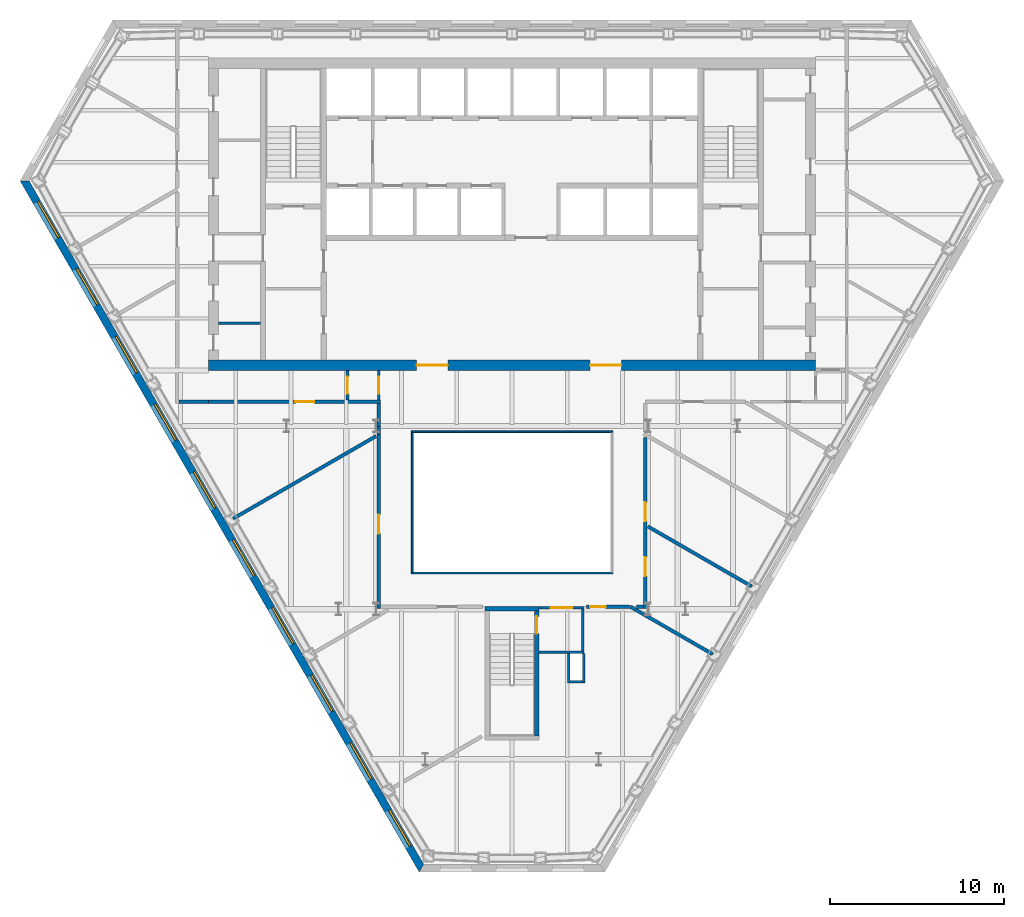
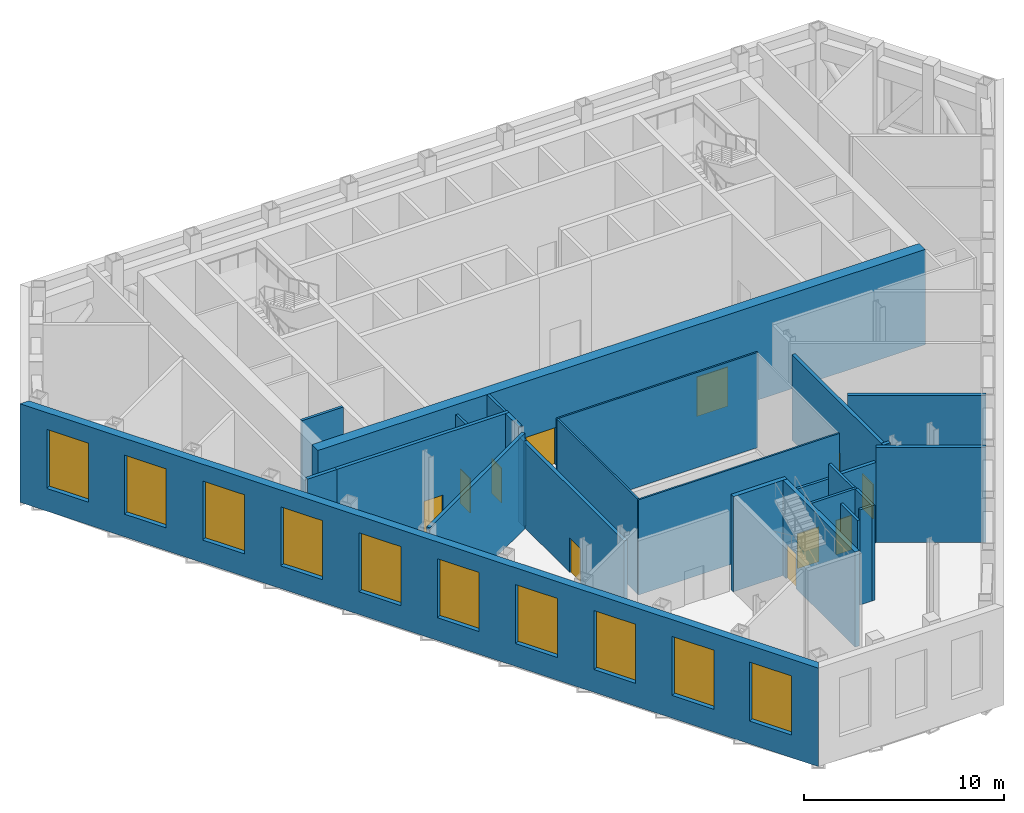
# One storey, part 7 of 14: 27 walls, 11 doors, 10 shading devices, 21 openings.
"""IFC4 building model written with IfcOpenShell, lengths in metres."""

from ifc_helpers import new_model, si_unit, direction, frame, frame_2d, origin, place, context, subcontext, project, spatial, polyline, rectangle, outline, extrude, material, layer, layer_set, type_object, element, fill, save


model = new_model("IFC4")

# Units and contexts
model_context = context("Model", 3, precision=1e-05, world=origin(), true_north=direction((0.0, 1.0)))
body_context = subcontext(model_context, "Body", "Model", "MODEL_VIEW")
ifc_project = project(units=[si_unit("LENGTHUNIT", "METRE"), si_unit("AREAUNIT", "SQUARE_METRE"), si_unit("VOLUMEUNIT", "CUBIC_METRE"), si_unit("PLANEANGLEUNIT", "RADIAN"), si_unit("MASSUNIT", "GRAM", prefix="KILO")], contexts=[model_context])

# Site, building, storey
site_placement = place(None, origin())
site = spatial("IfcSite", under=ifc_project, at=site_placement, CompositionType="ELEMENT")
building_placement = place(site_placement, origin())
building = spatial("IfcBuilding", under=site, at=building_placement, Name="Njiva Tower", CompositionType="ELEMENT")
storey_placement = place(building_placement, frame((0.0, 0.0, 78.3)))
storey = spatial("IfcBuildingStorey", under=building, at=storey_placement, Name="L16", CompositionType="ELEMENT", Elevation=78.3)

# Wall
ifc_material_1 = material(Name="Blockwork", Category="masonry")
ifc_layer_1 = layer(ifc_material_1, 0.15)
ifc_layer_set_1 = layer_set([ifc_layer_1], Name="Blockwork")
wall_type_1 = type_object("IfcWallType", Name="WT1 Compartment partition 150", PredefinedType="PARTITIONING", material=ifc_layer_set_1)
wall_1_placement = place(storey_placement, frame((-16.9, 2.7176, 0.0), z_axis=(0.0, 0.0, 1.0), x_axis=(1.0, 0.0, 0.0)))
element("IfcWall", 1, at=wall_1_placement, inside=storey, type_object=wall_type_1, Name="Partition strip W00", PredefinedType="PARTITIONING", context=body_context, shape_type="SweptSolid", body=[
    extrude(rectangle(XDim=2.4, YDim=0.15, at=frame_2d((1.2, 0.0))), origin(), (0.0, 0.0, 1.0), 5.8),
])

# Wall, openings, doors
ifc_material_2 = material(Name="Concrete C60/75", Category="concrete")
ifc_layer_2 = layer(ifc_material_2, 0.6)
ifc_layer_set_2 = layer_set([ifc_layer_2], Name="Concrete C60/75")
wall_type_2 = type_object("IfcWallType", Name="WT15 Core wall 600", PredefinedType="SHEAR", material=ifc_layer_set_2)
wall_2_placement = place(storey_placement, frame((-17.5, 0.3, 0.0), z_axis=(0.0, 0.0, 1.0), x_axis=(1.0, 0.0, 0.0)))
wall_2 = element("IfcWall", 2, at=wall_2_placement, inside=storey, type_object=wall_type_2, Name="Core wall south", PredefinedType="SHEAR", context=body_context, shape_type="SweptSolid", body=[
    extrude(rectangle(XDim=35.0, YDim=0.6, at=frame_2d((17.5, 0.0))), origin(), (0.0, 0.0, 1.0), 5.8),
])
opening_1_placement = place(wall_2_placement, frame((12.0, 0.0, 0.0)))
opening_1 = element("IfcOpeningElement", 3, at=opening_1_placement, cuts=wall_2, Name="Opening T1-D933", PredefinedType="OPENING", context=body_context, shape_type="SweptSolid", body=[
    extrude(rectangle(XDim=1.8, YDim=2.4, at=frame_2d((0.9, 1.2))), frame((0.0, 0.31, 0.0), z_axis=(0.0, -1.0, 0.0), x_axis=(1.0, 0.0, 0.0)), (0.0, 0.0, 1.0), 0.62),
])
opening_2_placement = place(wall_2_placement, frame((22.0, 0.0, 0.0)))
opening_2 = element("IfcOpeningElement", 4, at=opening_2_placement, cuts=wall_2, Name="Opening T1-D934", PredefinedType="OPENING", context=body_context, shape_type="SweptSolid", body=[
    extrude(rectangle(XDim=1.8, YDim=2.4, at=frame_2d((0.9, 1.2))), frame((0.0, 0.31, 0.0), z_axis=(0.0, -1.0, 0.0), x_axis=(1.0, 0.0, 0.0)), (0.0, 0.0, 1.0), 0.62),
])
ifc_material_3 = material(Name="Steel and glass door", Category="steel")
door_type_1 = type_object("IfcDoorType", Name="D3 Core entrance door 1800x2400", OperationType="DOUBLE_DOOR_SINGLE_SWING", PredefinedType="DOOR", material=ifc_material_3)
door_1_placement = place(opening_1_placement, origin())
door_1 = element("IfcDoor", 5, at=door_1_placement, inside=storey, type_object=door_type_1, Name="Core entrance door", OperationType="DOUBLE_DOOR_SINGLE_SWING", OverallHeight=2.4, OverallWidth=1.8, PredefinedType="DOOR", context=body_context, shape_type="SweptSolid", body=[
    extrude(rectangle(XDim=1.8, YDim=2.4, at=frame_2d((0.9, 1.2))), frame((0.0, 0.025, 0.0), z_axis=(0.0, -1.0, 0.0), x_axis=(1.0, 0.0, 0.0)), (0.0, 0.0, 1.0), 0.05),
])
fill(opening_1, door_1)
door_2_placement = place(opening_2_placement, origin())
door_2 = element("IfcDoor", 6, at=door_2_placement, inside=storey, type_object=door_type_1, Name="Core entrance door", OperationType="DOUBLE_DOOR_SINGLE_SWING", OverallHeight=2.4, OverallWidth=1.8, PredefinedType="DOOR", context=body_context, shape_type="SweptSolid", body=[
    extrude(rectangle(XDim=1.8, YDim=2.4, at=frame_2d((0.9, 1.2))), frame((0.0, 0.025, 0.0), z_axis=(0.0, -1.0, 0.0), x_axis=(1.0, 0.0, 0.0)), (0.0, 0.0, 1.0), 0.05),
])
fill(opening_2, door_2)

# Wall, opening, door
ifc_material_4 = material(Name="Gypsum board on steel studs", Category="gypsum")
ifc_layer_3 = layer(ifc_material_4, 0.15)
ifc_layer_set_3 = layer_set([ifc_layer_3], Name="Gypsum board on steel studs")
wall_type_3 = type_object("IfcWallType", Name="WT21 Compartment wall 150", PredefinedType="PARTITIONING", material=ifc_layer_set_3)
wall_3_placement = place(storey_placement, frame((-9.48, -1.699, 0.0), z_axis=(0.0, 0.0, 1.0), x_axis=(0.0, 1.0, 0.0)))
wall_3 = element("IfcWall", 7, at=wall_3_placement, inside=storey, type_object=wall_type_3, Name="Partition T1-P011", PredefinedType="PARTITIONING", context=body_context, shape_type="SweptSolid", body=[
    extrude(rectangle(XDim=1.698, YDim=0.15, at=frame_2d((0.849, 0.0))), origin(), (0.0, 0.0, 1.0), 5.2),
])
opening_3_placement = place(wall_3_placement, frame((0.349, 0.0, 0.0)))
opening_3 = element("IfcOpeningElement", 8, at=opening_3_placement, cuts=wall_3, Name="Opening T1-D005", PredefinedType="OPENING", context=body_context, shape_type="SweptSolid", body=[
    extrude(rectangle(XDim=1.0, YDim=2.1, at=frame_2d((0.5, 1.05))), frame((0.0, 0.085, 0.0), z_axis=(0.0, -1.0, 0.0), x_axis=(1.0, 0.0, 0.0)), (0.0, 0.0, 1.0), 0.17),
])
ifc_material_5 = material(Name="Steel fire door set", Category="steel")
door_type_2 = type_object("IfcDoorType", Name="D37 Fire door 1000x2100", OperationType="SINGLE_SWING_LEFT", PredefinedType="DOOR", material=ifc_material_5)
door_3_placement = place(opening_3_placement, origin())
door_3 = element("IfcDoor", 9, at=door_3_placement, inside=storey, type_object=door_type_2, Name="Door T1-D005", OperationType="SINGLE_SWING_RIGHT", OverallHeight=2.1, OverallWidth=1.0, PredefinedType="DOOR", context=body_context, shape_type="SweptSolid", body=[
    extrude(rectangle(XDim=1.0, YDim=2.1, at=frame_2d((0.5, 1.05))), frame((0.0, 0.025, 0.0), z_axis=(0.0, -1.0, 0.0), x_axis=(1.0, 0.0, 0.0)), (0.0, 0.0, 1.0), 0.05),
])
fill(opening_3, door_3)

wall_4_placement = place(storey_placement, frame((-7.68, -1.699, 0.0), z_axis=(0.0, 0.0, 1.0), x_axis=(0.0, 1.0, 0.0)))
wall_4 = element("IfcWall", 10, at=wall_4_placement, inside=storey, type_object=wall_type_3, Name="Partition T1-P015", PredefinedType="PARTITIONING", context=body_context, shape_type="SweptSolid", body=[
    extrude(rectangle(XDim=1.698, YDim=0.15, at=frame_2d((0.849, 0.0))), origin(), (0.0, 0.0, 1.0), 5.8),
])
opening_4_placement = place(wall_4_placement, frame((0.349, 0.0, 0.0)))
opening_4 = element("IfcOpeningElement", 11, at=opening_4_placement, cuts=wall_4, Name="Opening T1-D007", PredefinedType="OPENING", context=body_context, shape_type="SweptSolid", body=[
    extrude(rectangle(XDim=1.0, YDim=2.1, at=frame_2d((0.5, 1.05))), frame((0.0, 0.085, 0.0), z_axis=(0.0, -1.0, 0.0), x_axis=(1.0, 0.0, 0.0)), (0.0, 0.0, 1.0), 0.17),
])
door_4_placement = place(opening_4_placement, origin())
door_4 = element("IfcDoor", 12, at=door_4_placement, inside=storey, type_object=door_type_2, Name="Door T1-D007", OperationType="SINGLE_SWING_RIGHT", OverallHeight=2.1, OverallWidth=1.0, PredefinedType="DOOR", context=body_context, shape_type="SweptSolid", body=[
    extrude(rectangle(XDim=1.0, YDim=2.1, at=frame_2d((0.5, 1.05))), frame((0.0, 0.025, 0.0), z_axis=(0.0, -1.0, 0.0), x_axis=(1.0, 0.0, 0.0)), (0.0, 0.0, 1.0), 0.05),
])
fill(opening_4, door_4)

# Wall
ifc_layer_4 = layer(ifc_material_1, 0.2)
ifc_layer_set_4 = layer_set([ifc_layer_4], Name="Blockwork")
wall_type_4 = type_object("IfcWallType", Name="WT22 Plant room wall 200", PredefinedType="PARTITIONING", material=ifc_layer_set_4)
wall_5_placement = place(storey_placement, frame((-19.2, -1.8, 0.0), z_axis=(0.0, 0.0, 1.0), x_axis=(1.0, 0.0, 0.0)))
element("IfcWall", 13, at=wall_5_placement, inside=storey, type_object=wall_type_4, Name="Partition T1-P007", PredefinedType="PARTITIONING", context=body_context, shape_type="SweptSolid", body=[
    extrude(rectangle(XDim=1.699, YDim=0.2, at=frame_2d((0.8495, 0.0))), origin(), (0.0, 0.0, 1.0), 5.8),
])

# Wall, opening, door
wall_6_placement = place(storey_placement, frame((-17.499, -1.8, 0.0), z_axis=(0.0, 0.0, 1.0), x_axis=(0.999999994918, 0.000100816614, 0.0)))
wall_6 = element("IfcWall", 14, at=wall_6_placement, inside=storey, type_object=wall_type_4, Name="Partition T1-P008", PredefinedType="PARTITIONING", context=body_context, shape_type="SweptSolid", body=[
    extrude(rectangle(XDim=9.919, YDim=0.2, at=frame_2d((4.9595, 0.0))), origin(), (0.0, 0.0, 1.0), 5.8),
])
opening_5_placement = place(wall_6_placement, frame((5.01, 0.0, 0.0)))
opening_5 = element("IfcOpeningElement", 15, at=opening_5_placement, cuts=wall_6, Name="Opening T1-D004", PredefinedType="OPENING", context=body_context, shape_type="SweptSolid", body=[
    extrude(rectangle(XDim=1.1, YDim=2.1, at=frame_2d((0.55, 1.05))), frame((0.0, 0.11, 0.0), z_axis=(0.0, -1.0, 0.0), x_axis=(1.0, 0.0, 0.0)), (0.0, 0.0, 1.0), 0.22),
])
ifc_material_6 = material(Name="Steel door set", Category="steel")
door_type_3 = type_object("IfcDoorType", Name="D34 Plant door 1100x2100", OperationType="SINGLE_SWING_LEFT", PredefinedType="DOOR", material=ifc_material_6)
door_5_placement = place(opening_5_placement, origin())
door_5 = element("IfcDoor", 16, at=door_5_placement, inside=storey, type_object=door_type_3, Name="Door T1-D004", OperationType="SINGLE_SWING_RIGHT", OverallHeight=2.1, OverallWidth=1.1, PredefinedType="DOOR", context=body_context, shape_type="SweptSolid", body=[
    extrude(rectangle(XDim=1.1, YDim=2.1, at=frame_2d((0.55, 1.05))), frame((0.0, 0.025, 0.0), z_axis=(0.0, -1.0, 0.0), x_axis=(1.0, 0.0, 0.0)), (0.0, 0.0, 1.0), 0.05),
])
fill(opening_5, door_5)

# Walls
wall_7_placement = place(storey_placement, frame((-16.071, -8.534, 0.0), z_axis=(0.0, 0.0, 1.0), x_axis=(0.866068339032, 0.499925626596, 0.0)))
element("IfcWall", 17, at=wall_7_placement, inside=storey, type_object=wall_type_4, Name="Partition T1-P009", PredefinedType="PARTITIONING", context=body_context, shape_type="SweptSolid", body=[
    extrude(rectangle(XDim=9.5154, YDim=0.2, at=frame_2d((4.7577, 0.0))), origin(), (0.0, 0.0, 1.0), 5.8),
])
wall_8_placement = place(storey_placement, frame((-7.681, -1.899, 0.0), z_axis=(0.0, 0.0, 1.0), x_axis=(0.000761614402, -0.999999709972, 0.0)))
element("IfcWall", 18, at=wall_8_placement, inside=storey, type_object=wall_type_4, Name="Partition T1-P012", PredefinedType="PARTITIONING", context=body_context, shape_type="SweptSolid", body=[
    extrude(rectangle(XDim=1.313, YDim=0.2, at=frame_2d((0.6565, 0.0))), origin(), (0.0, 0.0, 1.0), 5.8),
])

# Wall, opening, door
wall_9_placement = place(storey_placement, frame((-7.68, -13.7, 0.0), z_axis=(0.0, 0.0, 1.0), x_axis=(0.0, 1.0, 0.0)))
wall_9 = element("IfcWall", 19, at=wall_9_placement, inside=storey, type_object=wall_type_4, Name="Partition T1-P013", PredefinedType="PARTITIONING", context=body_context, shape_type="SweptSolid", body=[
    extrude(rectangle(XDim=10.008, YDim=0.2, at=frame_2d((5.004, 0.0))), origin(), (0.0, 0.0, 1.0), 5.2),
])
opening_6_placement = place(wall_9_placement, frame((4.304, 0.0, 0.0)))
opening_6 = element("IfcOpeningElement", 20, at=opening_6_placement, cuts=wall_9, Name="Opening T1-D006", PredefinedType="OPENING", context=body_context, shape_type="SweptSolid", body=[
    extrude(rectangle(XDim=1.1, YDim=2.1, at=frame_2d((0.55, 1.05))), frame((0.0, 0.11, 0.0), z_axis=(0.0, -1.0, 0.0), x_axis=(1.0, 0.0, 0.0)), (0.0, 0.0, 1.0), 0.22),
])
door_6_placement = place(opening_6_placement, origin())
door_6 = element("IfcDoor", 21, at=door_6_placement, inside=storey, type_object=door_type_3, Name="Door T1-D006", OperationType="SINGLE_SWING_RIGHT", OverallHeight=2.1, OverallWidth=1.1, PredefinedType="DOOR", context=body_context, shape_type="SweptSolid", body=[
    extrude(rectangle(XDim=1.1, YDim=2.1, at=frame_2d((0.55, 1.05))), frame((0.0, 0.025, 0.0), z_axis=(0.0, -1.0, 0.0), x_axis=(1.0, 0.0, 0.0)), (0.0, 0.0, 1.0), 0.05),
])
fill(opening_6, door_6)

# Wall
wall_10_placement = place(storey_placement, frame((-7.68, -3.69, 0.0), z_axis=(0.0, 0.0, 1.0), x_axis=(0.0, 1.0, 0.0)))
element("IfcWall", 22, at=wall_10_placement, inside=storey, type_object=wall_type_4, Name="Partition T1-P014", PredefinedType="PARTITIONING", context=body_context, shape_type="SweptSolid", body=[
    extrude(rectangle(XDim=0.478, YDim=0.2, at=frame_2d((0.239, 0.0))), origin(), (0.0, 0.0, 1.0), 5.2),
])

# Wall, opening, door
wall_11_placement = place(storey_placement, frame((4.3, -13.6, 0.0), z_axis=(0.0, 0.0, 1.0), x_axis=(1.0, 0.0, 0.0)))
wall_11 = element("IfcWall", 23, at=wall_11_placement, inside=storey, type_object=wall_type_4, Name="Partition T1-P018", PredefinedType="PARTITIONING", context=body_context, shape_type="SweptSolid", body=[
    extrude(rectangle(XDim=2.463, YDim=0.2, at=frame_2d((1.2315, 0.0))), origin(), (0.0, 0.0, 1.0), 4.89),
])
opening_7_placement = place(wall_11_placement, frame((0.2, 0.0, 0.0)))
opening_7 = element("IfcOpeningElement", 24, at=opening_7_placement, cuts=wall_11, Name="Opening T1-D009", PredefinedType="OPENING", context=body_context, shape_type="SweptSolid", body=[
    extrude(rectangle(XDim=0.9, YDim=2.1, at=frame_2d((0.45, 1.05))), frame((0.0, 0.11, 0.0), z_axis=(0.0, -1.0, 0.0), x_axis=(1.0, 0.0, 0.0)), (0.0, 0.0, 1.0), 0.22),
])
door_type_4 = type_object("IfcDoorType", Name="D36 Fire door 900x2100", OperationType="SINGLE_SWING_LEFT", PredefinedType="DOOR", material=ifc_material_5)
door_7_placement = place(opening_7_placement, origin())
door_7 = element("IfcDoor", 25, at=door_7_placement, inside=storey, type_object=door_type_4, Name="Door T1-D009", OperationType="SINGLE_SWING_LEFT", OverallHeight=2.1, OverallWidth=0.9, PredefinedType="DOOR", context=body_context, shape_type="SweptSolid", body=[
    extrude(rectangle(XDim=0.9, YDim=2.1, at=frame_2d((0.45, 1.05))), frame((0.0, 0.025, 0.0), z_axis=(0.0, -1.0, 0.0), x_axis=(1.0, 0.0, 0.0)), (0.0, 0.0, 1.0), 0.05),
])
fill(opening_7, door_7)

# Walls
wall_12_placement = place(storey_placement, frame((6.813, -13.6, 0.0), z_axis=(0.0, 0.0, 1.0), x_axis=(0.866058069904, -0.499943416353, 0.0)))
element("IfcWall", 26, at=wall_12_placement, inside=storey, type_object=wall_type_4, Name="Partition T1-P019", PredefinedType="PARTITIONING", context=body_context, shape_type="SweptSolid", body=[
    extrude(rectangle(XDim=5.4846, YDim=0.2, at=frame_2d((2.7423, 0.0))), origin(), (0.0, 0.0, 1.0), 5.8),
])
wall_13_placement = place(storey_placement, frame((7.186, -13.6, 0.0), z_axis=(0.0, 0.0, 1.0), x_axis=(1.0, 0.0, 0.0)))
element("IfcWall", 27, at=wall_13_placement, inside=storey, type_object=wall_type_4, Name="Partition T1-P020", PredefinedType="PARTITIONING", context=body_context, shape_type="SweptSolid", body=[
    extrude(rectangle(XDim=0.394, YDim=0.2, at=frame_2d((0.197, 0.0))), origin(), (0.0, 0.0, 1.0), 5.8),
])

# Wall, openings, doors
wall_14_placement = place(storey_placement, frame((7.68, -13.7, 0.0), z_axis=(0.0, 0.0, 1.0), x_axis=(0.0, 1.0, 0.0)))
wall_14 = element("IfcWall", 28, at=wall_14_placement, inside=storey, type_object=wall_type_4, Name="Partition T1-P022", PredefinedType="PARTITIONING", context=body_context, shape_type="SweptSolid", body=[
    extrude(rectangle(XDim=9.836, YDim=0.2, at=frame_2d((4.918, 0.0))), origin(), (0.0, 0.0, 1.0), 5.2),
])
opening_8_placement = place(wall_14_placement, frame((1.852, 0.0, 0.0)))
opening_8 = element("IfcOpeningElement", 29, at=opening_8_placement, cuts=wall_14, Name="Opening T1-D010", PredefinedType="OPENING", context=body_context, shape_type="SweptSolid", body=[
    extrude(rectangle(XDim=1.1, YDim=2.1, at=frame_2d((0.55, 1.05))), frame((0.0, 0.11, 0.0), z_axis=(0.0, -1.0, 0.0), x_axis=(1.0, 0.0, 0.0)), (0.0, 0.0, 1.0), 0.22),
])
opening_9_placement = place(wall_14_placement, frame((5.004, 0.0, 0.0)))
opening_9 = element("IfcOpeningElement", 30, at=opening_9_placement, cuts=wall_14, Name="Opening T1-D011", PredefinedType="OPENING", context=body_context, shape_type="SweptSolid", body=[
    extrude(rectangle(XDim=1.1, YDim=2.1, at=frame_2d((0.55, 1.05))), frame((0.0, 0.11, 0.0), z_axis=(0.0, -1.0, 0.0), x_axis=(1.0, 0.0, 0.0)), (0.0, 0.0, 1.0), 0.22),
])
door_8_placement = place(opening_8_placement, origin())
door_8 = element("IfcDoor", 31, at=door_8_placement, inside=storey, type_object=door_type_3, Name="Door T1-D010", OperationType="SINGLE_SWING_LEFT", OverallHeight=2.1, OverallWidth=1.1, PredefinedType="DOOR", context=body_context, shape_type="SweptSolid", body=[
    extrude(rectangle(XDim=1.1, YDim=2.1, at=frame_2d((0.55, 1.05))), frame((0.0, 0.025, 0.0), z_axis=(0.0, -1.0, 0.0), x_axis=(1.0, 0.0, 0.0)), (0.0, 0.0, 1.0), 0.05),
])
fill(opening_8, door_8)
door_type_5 = type_object("IfcDoorType", Name="D39 Emergency power room door 1100x2100", OperationType="SINGLE_SWING_LEFT", PredefinedType="DOOR", material=ifc_material_6)
door_9_placement = place(opening_9_placement, origin())
door_9 = element("IfcDoor", 32, at=door_9_placement, inside=storey, type_object=door_type_5, Name="Door T1-D011", OperationType="SINGLE_SWING_RIGHT", OverallHeight=2.1, OverallWidth=1.1, PredefinedType="DOOR", context=body_context, shape_type="SweptSolid", body=[
    extrude(rectangle(XDim=1.1, YDim=2.1, at=frame_2d((0.55, 1.05))), frame((0.0, 0.025, 0.0), z_axis=(0.0, -1.0, 0.0), x_axis=(1.0, 0.0, 0.0)), (0.0, 0.0, 1.0), 0.05),
])
fill(opening_9, door_9)

# Walls
wall_15_placement = place(storey_placement, frame((7.83, -8.983, 0.0), z_axis=(0.0, 0.0, 1.0), x_axis=(0.866062737724, -0.499935330144, 0.0)))
element("IfcWall", 33, at=wall_15_placement, inside=storey, type_object=wall_type_4, Name="Partition T1-P025", PredefinedType="PARTITIONING", context=body_context, shape_type="SweptSolid", body=[
    extrude(rectangle(XDim=6.9129, YDim=0.2, at=frame_2d((3.4564, 0.0))), origin(), (0.0, 0.0, 1.0), 5.8),
])
ifc_layer_5 = layer(ifc_material_1, 0.15)
ifc_layer_set_5 = layer_set([ifc_layer_5], Name="Blockwork")
wall_type_5 = type_object("IfcWallType", Name="WT4 Stair partition 150", PredefinedType="PARTITIONING", material=ifc_layer_set_5)
wall_16_placement = place(storey_placement, frame((1.55, -16.225, 0.0), z_axis=(0.0, 0.0, 1.0), x_axis=(1.0, 0.0, 0.0)))
element("IfcWall", 34, at=wall_16_placement, inside=storey, type_object=wall_type_5, Name="Stair C vestibule wall south", PredefinedType="PARTITIONING", context=body_context, shape_type="SweptSolid", body=[
    extrude(rectangle(XDim=2.6, YDim=0.15, at=frame_2d((1.3, 0.0))), origin(), (0.0, 0.0, 1.0), 5.8),
])
wall_17_placement = place(storey_placement, frame((4.075, -16.15, 0.0), z_axis=(0.0, 0.0, 1.0), x_axis=(0.0, 1.0, 0.0)))
element("IfcWall", 35, at=wall_17_placement, inside=storey, type_object=wall_type_5, Name="Stair C vestibule wall east", PredefinedType="PARTITIONING", context=body_context, shape_type="SweptSolid", body=[
    extrude(rectangle(XDim=2.4, YDim=0.15, at=frame_2d((1.2, 0.0))), origin(), (0.0, 0.0, 1.0), 5.8),
])

# Wall, opening, door
wall_18_placement = place(storey_placement, frame((1.55, -13.675, 0.0), z_axis=(0.0, 0.0, 1.0), x_axis=(1.0, 0.0, 0.0)))
wall_18 = element("IfcWall", 36, at=wall_18_placement, inside=storey, type_object=wall_type_5, Name="Stair C vestibule wall north", PredefinedType="PARTITIONING", context=body_context, shape_type="SweptSolid", body=[
    extrude(rectangle(XDim=2.6, YDim=0.15, at=frame_2d((1.3, 0.0))), origin(), (0.0, 0.0, 1.0), 4.89),
])
opening_10_placement = place(wall_18_placement, frame((0.675, 0.0, 0.0)))
opening_10 = element("IfcOpeningElement", 37, at=opening_10_placement, cuts=wall_18, Name="Opening T1-D936", PredefinedType="OPENING", context=body_context, shape_type="SweptSolid", body=[
    extrude(rectangle(XDim=1.25, YDim=2.1, at=frame_2d((0.625, 1.05))), frame((0.0, 0.085, 0.0), z_axis=(0.0, -1.0, 0.0), x_axis=(1.0, 0.0, 0.0)), (0.0, 0.0, 1.0), 0.17),
])
ifc_material_7 = material(Name="Glazed steel fire door", Category="steel")
door_type_6 = type_object("IfcDoorType", Name="D8 Vestibule corridor door 1250x2100 glazed", OperationType="SINGLE_SWING_LEFT", PredefinedType="DOOR", material=ifc_material_7)
door_10_placement = place(opening_10_placement, origin())
door_10 = element("IfcDoor", 38, at=door_10_placement, inside=storey, type_object=door_type_6, Name="Stair vestibule corridor door", OperationType="SINGLE_SWING_RIGHT", OverallHeight=2.1, OverallWidth=1.25, PredefinedType="DOOR", context=body_context, shape_type="SweptSolid", body=[
    extrude(rectangle(XDim=1.25, YDim=2.1, at=frame_2d((0.625, 1.05))), frame((0.0, 0.025, 0.0), z_axis=(0.0, -1.0, 0.0), x_axis=(1.0, 0.0, 0.0)), (0.0, 0.0, 1.0), 0.05),
])
fill(opening_10, door_10)

# Walls
wall_19_placement = place(storey_placement, frame((3.275, -18.0, 0.0), z_axis=(0.0, 0.0, 1.0), x_axis=(0.0, 1.0, 0.0)))
element("IfcWall", 39, at=wall_19_placement, inside=storey, type_object=wall_type_5, Name="Stair C pressurisation shaft wall", PredefinedType="PARTITIONING", context=body_context, shape_type="SweptSolid", body=[
    extrude(rectangle(XDim=1.7, YDim=0.15, at=frame_2d((0.85, 0.0))), origin(), (0.0, 0.0, 1.0), 5.2),
])
wall_20_placement = place(storey_placement, frame((3.35, -17.925, 0.0), z_axis=(0.0, 0.0, 1.0), x_axis=(1.0, 0.0, 0.0)))
element("IfcWall", 40, at=wall_20_placement, inside=storey, type_object=wall_type_5, Name="Stair C pressurisation shaft wall", PredefinedType="PARTITIONING", context=body_context, shape_type="SweptSolid", body=[
    extrude(rectangle(XDim=0.7, YDim=0.15, at=frame_2d((0.35, 0.0))), origin(), (0.0, 0.0, 1.0), 5.8),
])
wall_21_placement = place(storey_placement, frame((4.125, -18.0, 0.0), z_axis=(0.0, 0.0, 1.0), x_axis=(0.0, 1.0, 0.0)))
element("IfcWall", 41, at=wall_21_placement, inside=storey, type_object=wall_type_5, Name="Stair C pressurisation shaft wall", PredefinedType="PARTITIONING", context=body_context, shape_type="SweptSolid", body=[
    extrude(rectangle(XDim=1.7, YDim=0.15, at=frame_2d((0.85, 0.0))), origin(), (0.0, 0.0, 1.0), 5.8),
])

# Wall, opening, door
ifc_material_8 = material(Name="Concrete C40/50", Category="concrete")
ifc_layer_6 = layer(ifc_material_8, 0.25)
ifc_layer_set_6 = layer_set([ifc_layer_6], Name="Concrete C40/50")
wall_type_6 = type_object("IfcWallType", Name="WT9 Stair enclosure wall 250", PredefinedType="SHEAR", material=ifc_layer_set_6)
wall_22_placement = place(storey_placement, frame((1.425, -21.05, 0.0), z_axis=(0.0, 0.0, 1.0), x_axis=(0.0, 1.0, 0.0)))
wall_22 = element("IfcWall", 42, at=wall_22_placement, inside=storey, type_object=wall_type_6, Name="Stair C wall east", PredefinedType="SHEAR", context=body_context, shape_type="SweptSolid", body=[
    extrude(rectangle(XDim=7.2, YDim=0.25, at=frame_2d((3.6, 0.0))), origin(), (0.0, 0.0, 1.0), 5.8),
])
opening_11_placement = place(wall_22_placement, frame((5.89, 0.0, 0.0)))
opening_11 = element("IfcOpeningElement", 43, at=opening_11_placement, cuts=wall_22, Name="Opening T1-D935", PredefinedType="OPENING", context=body_context, shape_type="SweptSolid", body=[
    extrude(rectangle(XDim=1.0, YDim=2.1, at=frame_2d((0.5, 1.05))), frame((0.0, 0.135, 0.0), z_axis=(0.0, -1.0, 0.0), x_axis=(1.0, 0.0, 0.0)), (0.0, 0.0, 1.0), 0.27),
])
door_type_7 = type_object("IfcDoorType", Name="D9 Stair vestibule door 1000x2100 glazed", OperationType="SINGLE_SWING_LEFT", PredefinedType="DOOR", material=ifc_material_7)
door_11_placement = place(opening_11_placement, origin())
door_11 = element("IfcDoor", 44, at=door_11_placement, inside=storey, type_object=door_type_7, Name="Stair C door", OperationType="SINGLE_SWING_LEFT", OverallHeight=2.1, OverallWidth=1.0, PredefinedType="DOOR", context=body_context, shape_type="SweptSolid", body=[
    extrude(rectangle(XDim=1.0, YDim=2.1, at=frame_2d((0.5, 1.05))), frame((0.0, 0.025, 0.0), z_axis=(0.0, -1.0, 0.0), x_axis=(1.0, 0.0, 0.0)), (0.0, 0.0, 1.0), 0.05),
])
fill(opening_11, door_11)

# Wall
wall_23_placement = place(storey_placement, frame((-1.55, -13.725, 0.0), z_axis=(0.0, 0.0, 1.0), x_axis=(1.0, 0.0, 0.0)))
element("IfcWall", 45, at=wall_23_placement, inside=storey, type_object=wall_type_6, Name="Stair C wall north", PredefinedType="SHEAR", context=body_context, shape_type="SweptSolid", body=[
    extrude(rectangle(XDim=3.1, YDim=0.25, at=frame_2d((1.55, 0.0))), origin(), (0.0, 0.0, 1.0), 5.8),
])

# Wall, openings, shading devices
ifc_material_9 = material(Name="Brick masonry, buff", Category="masonry")
ifc_layer_7 = layer(ifc_material_9, 0.45)
ifc_layer_set_7 = layer_set([ifc_layer_7], Name="Brick masonry, buff")
wall_type_7 = type_object("IfcWallType", Name="WT94 Brick pier and spandrel wall 450, buff", PredefinedType="SOLIDWALL", material=ifc_layer_set_7)
wall_24_placement = place(storey_placement, frame((-28.0902, 10.9335, -0.18), z_axis=(0.0, 0.0, 1.0), x_axis=(0.500000711659, -0.866024992908, 0.0)))
wall_24 = element("IfcWall", 46, at=wall_24_placement, inside=storey, type_object=wall_type_7, Name="Facade wall SW", PredefinedType="SOLIDWALL", context=body_context, shape_type="SweptSolid", body=[
    extrude(outline(polyline([(-0.1299, -0.225), (45.87, -0.225), (45.6102, 0.225), (0.1299, 0.225), (-0.1299, -0.225)])), origin(), (0.0, 0.0, 1.0), 6.0),
])
opening_12_placement = place(wall_24_placement, frame((1.4242, 0.0, 1.38)))
opening_12 = element("IfcOpeningElement", 47, at=opening_12_placement, cuts=wall_24, Name="Opening T1-LV14", PredefinedType="OPENING", context=body_context, shape_type="SweptSolid", body=[
    extrude(rectangle(XDim=2.4, YDim=3.6, at=frame_2d((1.2, 1.8))), frame((0.0, 0.235, 0.0), z_axis=(0.0, -1.0, 0.0), x_axis=(1.0, 0.0, 0.0)), (0.0, 0.0, 1.0), 0.47),
])
opening_13_placement = place(wall_24_placement, frame((5.8934, 0.0, 1.38)))
opening_13 = element("IfcOpeningElement", 48, at=opening_13_placement, cuts=wall_24, Name="Opening T1-LV15", PredefinedType="OPENING", context=body_context, shape_type="SweptSolid", body=[
    extrude(rectangle(XDim=2.4, YDim=3.6, at=frame_2d((1.2, 1.8))), frame((0.0, 0.235, 0.0), z_axis=(0.0, -1.0, 0.0), x_axis=(1.0, 0.0, 0.0)), (0.0, 0.0, 1.0), 0.47),
])
opening_14_placement = place(wall_24_placement, frame((10.401, 0.0, 1.38)))
opening_14 = element("IfcOpeningElement", 49, at=opening_14_placement, cuts=wall_24, Name="Opening T1-LV16", PredefinedType="OPENING", context=body_context, shape_type="SweptSolid", body=[
    extrude(rectangle(XDim=2.4, YDim=3.6, at=frame_2d((1.2, 1.8))), frame((0.0, 0.235, 0.0), z_axis=(0.0, -1.0, 0.0), x_axis=(1.0, 0.0, 0.0)), (0.0, 0.0, 1.0), 0.47),
])
opening_15_placement = place(wall_24_placement, frame((14.9087, 0.0, 1.38)))
opening_15 = element("IfcOpeningElement", 50, at=opening_15_placement, cuts=wall_24, Name="Opening T1-LV17", PredefinedType="OPENING", context=body_context, shape_type="SweptSolid", body=[
    extrude(rectangle(XDim=2.4, YDim=3.6, at=frame_2d((1.2, 1.8))), frame((0.0, 0.235, 0.0), z_axis=(0.0, -1.0, 0.0), x_axis=(1.0, 0.0, 0.0)), (0.0, 0.0, 1.0), 0.47),
])
opening_16_placement = place(wall_24_placement, frame((19.4163, 0.0, 1.38)))
opening_16 = element("IfcOpeningElement", 51, at=opening_16_placement, cuts=wall_24, Name="Opening T1-LV18", PredefinedType="OPENING", context=body_context, shape_type="SweptSolid", body=[
    extrude(rectangle(XDim=2.4, YDim=3.6, at=frame_2d((1.2, 1.8))), frame((0.0, 0.235, 0.0), z_axis=(0.0, -1.0, 0.0), x_axis=(1.0, 0.0, 0.0)), (0.0, 0.0, 1.0), 0.47),
])
opening_17_placement = place(wall_24_placement, frame((23.9239, 0.0, 1.38)))
opening_17 = element("IfcOpeningElement", 52, at=opening_17_placement, cuts=wall_24, Name="Opening T1-LV19", PredefinedType="OPENING", context=body_context, shape_type="SweptSolid", body=[
    extrude(rectangle(XDim=2.4, YDim=3.6, at=frame_2d((1.2, 1.8))), frame((0.0, 0.235, 0.0), z_axis=(0.0, -1.0, 0.0), x_axis=(1.0, 0.0, 0.0)), (0.0, 0.0, 1.0), 0.47),
])
opening_18_placement = place(wall_24_placement, frame((28.4315, 0.0, 1.38)))
opening_18 = element("IfcOpeningElement", 53, at=opening_18_placement, cuts=wall_24, Name="Opening T1-LV20", PredefinedType="OPENING", context=body_context, shape_type="SweptSolid", body=[
    extrude(rectangle(XDim=2.4, YDim=3.6, at=frame_2d((1.2, 1.8))), frame((0.0, 0.235, 0.0), z_axis=(0.0, -1.0, 0.0), x_axis=(1.0, 0.0, 0.0)), (0.0, 0.0, 1.0), 0.47),
])
opening_19_placement = place(wall_24_placement, frame((32.9391, 0.0, 1.38)))
opening_19 = element("IfcOpeningElement", 54, at=opening_19_placement, cuts=wall_24, Name="Opening T1-LV21", PredefinedType="OPENING", context=body_context, shape_type="SweptSolid", body=[
    extrude(rectangle(XDim=2.4, YDim=3.6, at=frame_2d((1.2, 1.8))), frame((0.0, 0.235, 0.0), z_axis=(0.0, -1.0, 0.0), x_axis=(1.0, 0.0, 0.0)), (0.0, 0.0, 1.0), 0.47),
])
opening_20_placement = place(wall_24_placement, frame((37.4468, 0.0, 1.38)))
opening_20 = element("IfcOpeningElement", 55, at=opening_20_placement, cuts=wall_24, Name="Opening T1-LV22", PredefinedType="OPENING", context=body_context, shape_type="SweptSolid", body=[
    extrude(rectangle(XDim=2.4, YDim=3.6, at=frame_2d((1.2, 1.8))), frame((0.0, 0.235, 0.0), z_axis=(0.0, -1.0, 0.0), x_axis=(1.0, 0.0, 0.0)), (0.0, 0.0, 1.0), 0.47),
])
opening_21_placement = place(wall_24_placement, frame((41.916, 0.0, 1.38)))
opening_21 = element("IfcOpeningElement", 56, at=opening_21_placement, cuts=wall_24, Name="Opening T1-LV23", PredefinedType="OPENING", context=body_context, shape_type="SweptSolid", body=[
    extrude(rectangle(XDim=2.4, YDim=3.6, at=frame_2d((1.2, 1.8))), frame((0.0, 0.235, 0.0), z_axis=(0.0, -1.0, 0.0), x_axis=(1.0, 0.0, 0.0)), (0.0, 0.0, 1.0), 0.47),
])
ifc_material_10 = material(Name="Aluminium louvre blades", Category="aluminium")
shading_device_type = type_object("IfcShadingDeviceType", Name="LV1 Plant louvre 2400x3600", PredefinedType="JALOUSIE", material=ifc_material_10)
shading_device_1_placement = place(opening_12_placement, origin())
shading_device_1 = element("IfcShadingDevice", 57, at=shading_device_1_placement, inside=storey, type_object=shading_device_type, Name="Plant louvre", PredefinedType="JALOUSIE", context=body_context, shape_type="SweptSolid", body=[
    extrude(rectangle(XDim=2.4, YDim=3.6, at=frame_2d((1.2, 1.8))), frame((0.0, 0.125, 0.0), z_axis=(0.0, -1.0, 0.0), x_axis=(1.0, 0.0, 0.0)), (0.0, 0.0, 1.0), 0.1),
])
fill(opening_12, shading_device_1)
shading_device_2_placement = place(opening_13_placement, origin())
shading_device_2 = element("IfcShadingDevice", 58, at=shading_device_2_placement, inside=storey, type_object=shading_device_type, Name="Plant louvre", PredefinedType="JALOUSIE", context=body_context, shape_type="SweptSolid", body=[
    extrude(rectangle(XDim=2.4, YDim=3.6, at=frame_2d((1.2, 1.8))), frame((0.0, 0.125, 0.0), z_axis=(0.0, -1.0, 0.0), x_axis=(1.0, 0.0, 0.0)), (0.0, 0.0, 1.0), 0.1),
])
fill(opening_13, shading_device_2)
shading_device_3_placement = place(opening_14_placement, origin())
shading_device_3 = element("IfcShadingDevice", 59, at=shading_device_3_placement, inside=storey, type_object=shading_device_type, Name="Plant louvre", PredefinedType="JALOUSIE", context=body_context, shape_type="SweptSolid", body=[
    extrude(rectangle(XDim=2.4, YDim=3.6, at=frame_2d((1.2, 1.8))), frame((0.0, 0.125, 0.0), z_axis=(0.0, -1.0, 0.0), x_axis=(1.0, 0.0, 0.0)), (0.0, 0.0, 1.0), 0.1),
])
fill(opening_14, shading_device_3)
shading_device_4_placement = place(opening_15_placement, origin())
shading_device_4 = element("IfcShadingDevice", 60, at=shading_device_4_placement, inside=storey, type_object=shading_device_type, Name="Plant louvre", PredefinedType="JALOUSIE", context=body_context, shape_type="SweptSolid", body=[
    extrude(rectangle(XDim=2.4, YDim=3.6, at=frame_2d((1.2, 1.8))), frame((0.0, 0.125, 0.0), z_axis=(0.0, -1.0, 0.0), x_axis=(1.0, 0.0, 0.0)), (0.0, 0.0, 1.0), 0.1),
])
fill(opening_15, shading_device_4)
shading_device_5_placement = place(opening_16_placement, origin())
shading_device_5 = element("IfcShadingDevice", 61, at=shading_device_5_placement, inside=storey, type_object=shading_device_type, Name="Plant louvre", PredefinedType="JALOUSIE", context=body_context, shape_type="SweptSolid", body=[
    extrude(rectangle(XDim=2.4, YDim=3.6, at=frame_2d((1.2, 1.8))), frame((0.0, 0.125, 0.0), z_axis=(0.0, -1.0, 0.0), x_axis=(1.0, 0.0, 0.0)), (0.0, 0.0, 1.0), 0.1),
])
fill(opening_16, shading_device_5)
shading_device_6_placement = place(opening_17_placement, origin())
shading_device_6 = element("IfcShadingDevice", 62, at=shading_device_6_placement, inside=storey, type_object=shading_device_type, Name="Plant louvre", PredefinedType="JALOUSIE", context=body_context, shape_type="SweptSolid", body=[
    extrude(rectangle(XDim=2.4, YDim=3.6, at=frame_2d((1.2, 1.8))), frame((0.0, 0.125, 0.0), z_axis=(0.0, -1.0, 0.0), x_axis=(1.0, 0.0, 0.0)), (0.0, 0.0, 1.0), 0.1),
])
fill(opening_17, shading_device_6)
shading_device_7_placement = place(opening_18_placement, origin())
shading_device_7 = element("IfcShadingDevice", 63, at=shading_device_7_placement, inside=storey, type_object=shading_device_type, Name="Plant louvre", PredefinedType="JALOUSIE", context=body_context, shape_type="SweptSolid", body=[
    extrude(rectangle(XDim=2.4, YDim=3.6, at=frame_2d((1.2, 1.8))), frame((0.0, 0.125, 0.0), z_axis=(0.0, -1.0, 0.0), x_axis=(1.0, 0.0, 0.0)), (0.0, 0.0, 1.0), 0.1),
])
fill(opening_18, shading_device_7)
shading_device_8_placement = place(opening_19_placement, origin())
shading_device_8 = element("IfcShadingDevice", 64, at=shading_device_8_placement, inside=storey, type_object=shading_device_type, Name="Plant louvre", PredefinedType="JALOUSIE", context=body_context, shape_type="SweptSolid", body=[
    extrude(rectangle(XDim=2.4, YDim=3.6, at=frame_2d((1.2, 1.8))), frame((0.0, 0.125, 0.0), z_axis=(0.0, -1.0, 0.0), x_axis=(1.0, 0.0, 0.0)), (0.0, 0.0, 1.0), 0.1),
])
fill(opening_19, shading_device_8)
shading_device_9_placement = place(opening_20_placement, origin())
shading_device_9 = element("IfcShadingDevice", 65, at=shading_device_9_placement, inside=storey, type_object=shading_device_type, Name="Plant louvre", PredefinedType="JALOUSIE", context=body_context, shape_type="SweptSolid", body=[
    extrude(rectangle(XDim=2.4, YDim=3.6, at=frame_2d((1.2, 1.8))), frame((0.0, 0.125, 0.0), z_axis=(0.0, -1.0, 0.0), x_axis=(1.0, 0.0, 0.0)), (0.0, 0.0, 1.0), 0.1),
])
fill(opening_20, shading_device_9)
shading_device_10_placement = place(opening_21_placement, origin())
shading_device_10 = element("IfcShadingDevice", 66, at=shading_device_10_placement, inside=storey, type_object=shading_device_type, Name="Plant louvre", PredefinedType="JALOUSIE", context=body_context, shape_type="SweptSolid", body=[
    extrude(rectangle(XDim=2.4, YDim=3.6, at=frame_2d((1.2, 1.8))), frame((0.0, 0.125, 0.0), z_axis=(0.0, -1.0, 0.0), x_axis=(1.0, 0.0, 0.0)), (0.0, 0.0, 1.0), 0.1),
])
fill(opening_21, shading_device_10)

# Walls
ifc_material_11 = material(Name="Fire-resisting glazing EI 90", Category="glass")
ifc_layer_8 = layer(ifc_material_11, 0.1)
ifc_layer_set_8 = layer_set([ifc_layer_8], Name="Fire-resisting glazing EI 90")
wall_type_8 = type_object("IfcWallType", Name="WT95 Fire-resisting glazed screen EI 90", PredefinedType="PARTITIONING", material=ifc_layer_set_8)
for number, where, z_axis, x_axis, name in (
    (67, (-5.8, -11.67, 0.0), (0.0, 0.0, 1.0), (1.0, 0.0, 0.0), "Atrium fire screen south"),
    (68, (5.8, -3.53, 0.0), (0.0, 0.0, 1.0), (-1.0, 0.0, 0.0), "Atrium fire screen north"),
):
    element("IfcWall", number, at=place(storey_placement, frame(where, z_axis=z_axis, x_axis=x_axis)), inside=storey, type_object=wall_type_8, Name=name, PredefinedType="PARTITIONING", context=body_context, shape_type="SweptSolid", body=[
        extrude(rectangle(XDim=11.6, YDim=0.1, at=frame_2d((5.8, 0.0))), origin(), (0.0, 0.0, 1.0), 5.8),
    ])
wall_25_placement = place(storey_placement, frame((-5.75, -3.58, 0.0), z_axis=(0.0, 0.0, 1.0), x_axis=(0.0, -1.0, 0.0)))
element("IfcWall", 69, at=wall_25_placement, inside=storey, type_object=wall_type_8, Name="Atrium fire screen west", PredefinedType="PARTITIONING", context=body_context, shape_type="SweptSolid", body=[
    extrude(rectangle(XDim=8.04, YDim=0.1, at=frame_2d((4.02, 0.0))), origin(), (0.0, 0.0, 1.0), 5.8),
])

save(model, "model.ifc")
